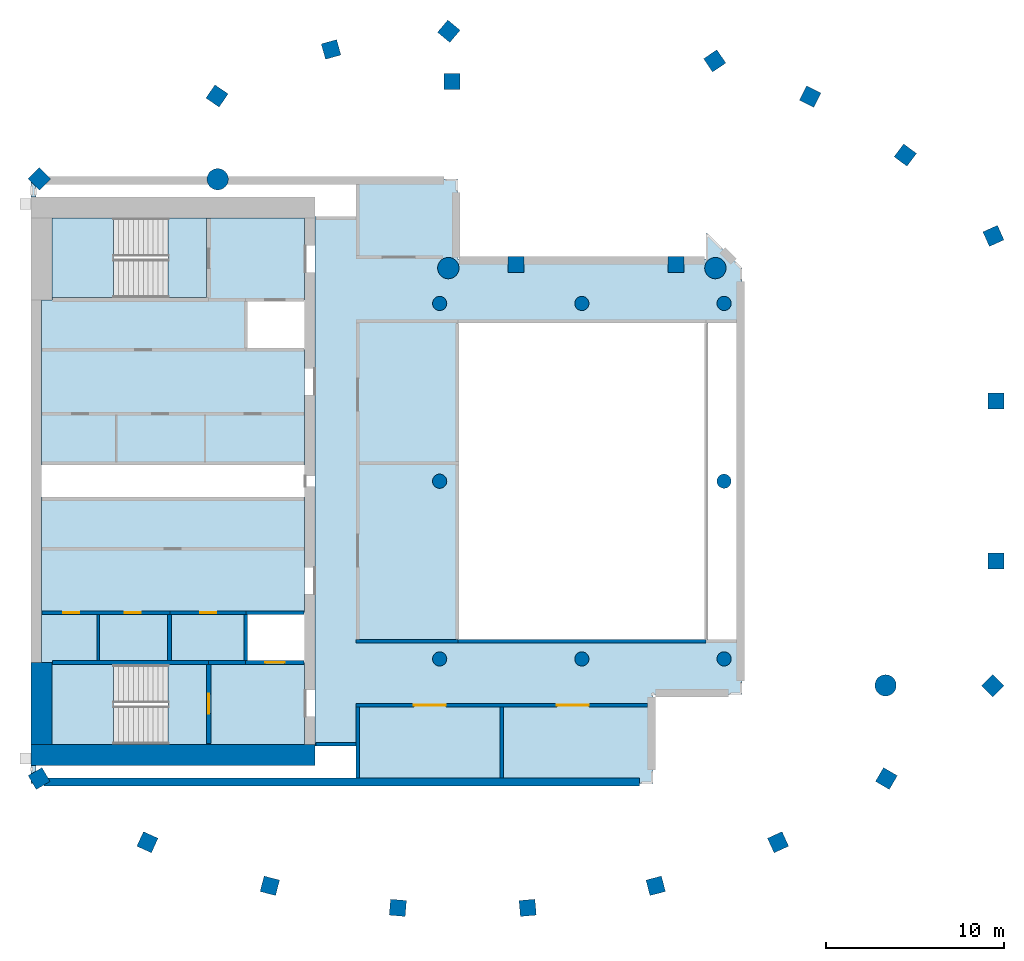
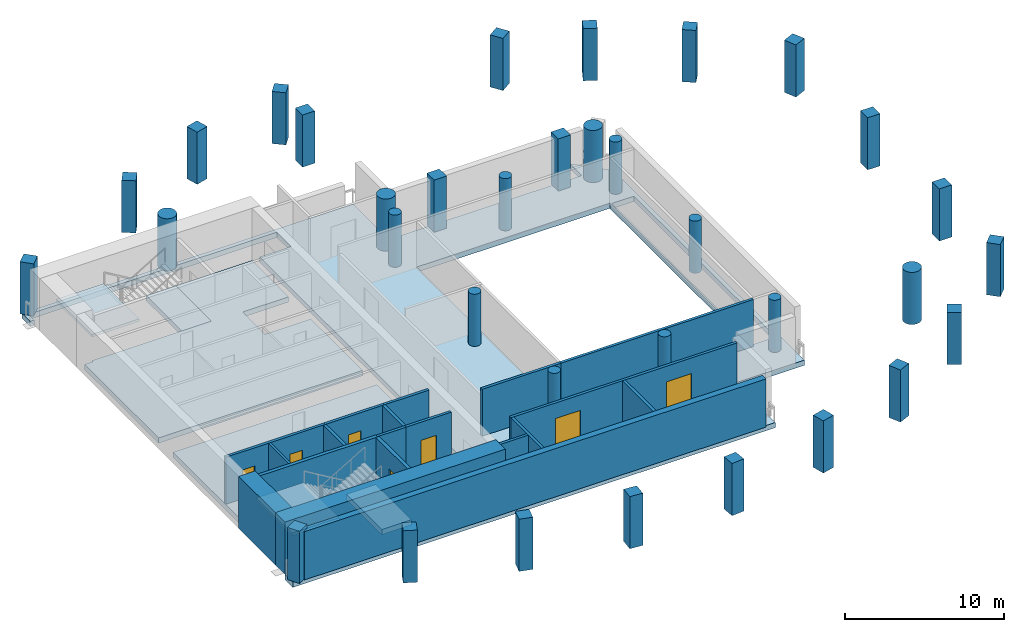
# One storey, part 1 of 8: 34 columns, 19 walls, 7 doors, 7 slabs, 7 openings, 2 elements without a shape of their own.
"""IFC4 building model written with IfcOpenShell, lengths in metres."""

import ifcopenshell
import ifcopenshell.guid

model = None  # the IFC model being written
_history = None  # IfcOwnerHistory: only IFC2X3 demands one
_inside = {}  # id of a spatial element -> (the spatial element, [elements in it])
_under = {}  # id of a project, library or spatial element -> (it, [spatial elements below it])
_declared = {}  # id of a project -> (the project, [libraries it declares])
_typed = {}  # id of a type object -> (the type object, [elements of that type])
_made_of = {}  # id of a material, layer set ... -> (it, [elements and type objects made of it])


def new_model(schema):
    """Start an empty IFC model of exactly this schema.

    Asked for "IFC4X3", IfcOpenShell would pick the latest addendum, in which some entities
    have other attributes; the version numbers below select the first issue.
    IFC2X3 requires an IfcOwnerHistory on every rooted entity: one is made here for all.
    """
    global model, _history
    if schema == "IFC4X3":
        model = ifcopenshell.file(schema_version=(4, 3, 0, 0))
    else:
        model = ifcopenshell.file(schema=schema)
    _inside.clear()
    _under.clear()
    _declared.clear()
    _typed.clear()
    _made_of.clear()
    _history = None
    if model.schema == "IFC2X3":
        org = make("IfcOrganization", Name="unknown")
        user = make(
            "IfcPersonAndOrganization",
            ThePerson=make("IfcPerson", FamilyName="unknown"),
            TheOrganization=org,
        )
        app = make(
            "IfcApplication",
            ApplicationDeveloper=org,
            Version="unknown",
            ApplicationFullName="unknown",
            ApplicationIdentifier="unknown",
        )
        _history = make(
            "IfcOwnerHistory",
            OwningUser=user,
            OwningApplication=app,
            ChangeAction="ADDED",
            CreationDate=0,
        )
    return model


def make(cls, **values):
    """One entity of the class cls with the attributes given. An attribute that is None is left unset."""
    return model.create_entity(
        cls, **{name: value for name, value in values.items() if value is not None}
    )


def rooted(cls, **values):
    """An entity with a GlobalId (a new one), such as an element, a storey or a relation."""
    return make(cls, GlobalId=ifcopenshell.guid.new(), OwnerHistory=_history, **values)


def si_unit(unit_type, name, prefix=None):
    """IfcSIUnit, for example si_unit("LENGTHUNIT", "METRE", prefix="MILLI")."""
    return make("IfcSIUnit", UnitType=unit_type, Prefix=prefix, Name=name)


def assignment(units):
    """IfcUnitAssignment: the units of a project."""
    return None if units is None else make("IfcUnitAssignment", Units=units)


def point(xyz):
    """IfcCartesianPoint."""
    return None if xyz is None else make("IfcCartesianPoint", Coordinates=xyz)


def direction(xyz):
    """IfcDirection."""
    return None if xyz is None else make("IfcDirection", DirectionRatios=xyz)


def frame(location, z_axis=None, x_axis=None):
    """IfcAxis2Placement3D, a coordinate frame: its origin and axes. An axis left out is left unset."""
    return make(
        "IfcAxis2Placement3D",
        Location=point(location),
        Axis=direction(z_axis),
        RefDirection=direction(x_axis),
    )


def frame_2d(location, x_axis=None):
    """IfcAxis2Placement2D, a coordinate frame in the plane: its origin and x axis."""
    return make(
        "IfcAxis2Placement2D", Location=point(location), RefDirection=direction(x_axis)
    )


def origin():
    """The frame at (0, 0, 0) with its axes left unset."""
    return frame((0.0, 0.0, 0.0))


def origin_2d():
    """The frame at (0, 0) in the plane with its x axis left unset."""
    return frame_2d((0.0, 0.0))


def place(relative_to, where):
    """IfcLocalPlacement: puts the frame where relative to a parent placement (None: the world)."""
    return make(
        "IfcLocalPlacement", PlacementRelTo=relative_to, RelativePlacement=where
    )


def context(
    kind, dimensions, precision=None, world=None, true_north=None, identifier=None
):
    """IfcGeometricRepresentationContext, for example the 3D "Model" context."""
    return make(
        "IfcGeometricRepresentationContext",
        ContextIdentifier=identifier,
        ContextType=kind,
        CoordinateSpaceDimension=dimensions,
        Precision=precision,
        WorldCoordinateSystem=world,
        TrueNorth=true_north,
    )


def subcontext(parent, identifier, kind, view, scale=None):
    """IfcGeometricRepresentationSubContext, for example "Body" below "Model"."""
    return make(
        "IfcGeometricRepresentationSubContext",
        ContextIdentifier=identifier,
        ContextType=kind,
        ParentContext=parent,
        TargetScale=scale,
        TargetView=view,
    )


def project(units=None, contexts=None):
    """IfcProject with its units and contexts."""
    return rooted(
        "IfcProject",
        Name="project",
        RepresentationContexts=contexts,
        UnitsInContext=assignment(units),
    )


def spatial(cls, under=None, at=None, **own):
    """A site, building, storey or space (cls), placed at a placement, below another one or the project."""
    s = rooted(cls, ObjectPlacement=at, **own)
    if under is not None:
        _under.setdefault(under.id(), (under, []))[1].append(s)
    return s


def polyline(points):
    """IfcPolyline through the points."""
    return make("IfcPolyline", Points=[point(p) for p in points])


def profile(cls, at=None, kind="AREA", **sizes):
    """A parametric profile (cls). Its sizes go by their IFC names, for example OverallWidth=200.0."""
    return make(cls, ProfileType=kind, Position=at, **sizes)


def rectangle(**sizes):
    """IfcRectangleProfileDef."""
    return profile("IfcRectangleProfileDef", **sizes)


def circle(**sizes):
    """IfcCircleProfileDef."""
    return profile("IfcCircleProfileDef", **sizes)


def outline(outer, holes=None, kind="AREA"):
    """IfcArbitraryClosedProfileDef: a profile drawn as a closed curve; with holes, ...WithVoids."""
    if holes is None:
        return make("IfcArbitraryClosedProfileDef", ProfileType=kind, OuterCurve=outer)
    return make(
        "IfcArbitraryProfileDefWithVoids",
        ProfileType=kind,
        OuterCurve=outer,
        InnerCurves=holes,
    )


def extrude(swept, where, along, depth):
    """IfcExtrudedAreaSolid: the profile swept, set in the frame where, extruded along a direction by depth."""
    return make(
        "IfcExtrudedAreaSolid",
        SweptArea=swept,
        Position=where,
        ExtrudedDirection=direction(along),
        Depth=depth,
    )


def shape(context_of_items, identifier, shape_type, items):
    """IfcShapeRepresentation: the items that make up one representation, for example the "Body"."""
    return make(
        "IfcShapeRepresentation",
        ContextOfItems=context_of_items,
        RepresentationIdentifier=identifier,
        RepresentationType=shape_type,
        Items=items,
    )


def material(Name=None, Category=None):
    """IfcMaterial."""
    return make("IfcMaterial", Name=Name, Category=Category)


def layer(
    of_material, thickness, ventilated=None, Name=None, Category=None, Priority=None
):
    """IfcMaterialLayer: one layer of a wall or slab, of a material (None: an air gap)."""
    return make(
        "IfcMaterialLayer",
        Material=of_material,
        LayerThickness=thickness,
        IsVentilated=ventilated,
        Name=Name,
        Category=Category,
        Priority=Priority,
    )


def layer_set(layers, Name=None):
    """IfcMaterialLayerSet."""
    return make("IfcMaterialLayerSet", MaterialLayers=layers, LayerSetName=Name)


def material_profile(
    of_material, cross_section, Name=None, Category=None, Priority=None
):
    """IfcMaterialProfile: a cross section and its material."""
    return make(
        "IfcMaterialProfile",
        Name=Name,
        Material=of_material,
        Profile=cross_section,
        Priority=Priority,
        Category=Category,
    )


def profile_set(profiles, Name=None, composite=None):
    """IfcMaterialProfileSet."""
    return make(
        "IfcMaterialProfileSet",
        Name=Name,
        MaterialProfiles=profiles,
        CompositeProfile=composite,
    )


def made_of(thing, what):
    """Note that an element or type object is made of a material, layer set ...; save() writes the relation."""
    if what is not None:
        _made_of.setdefault(what.id(), (what, []))[1].append(thing)
    return thing


def type_object(cls, material=None, **own):
    """A type object (cls), such as IfcWallType, which elements share."""
    return made_of(rooted(cls, **own), material)


def element(
    cls,
    number,
    at=None,
    inside=None,
    cuts=None,
    type_object=None,
    material=None,
    context=None,
    identifier="Body",
    shape_type=None,
    held_by="IfcProductDefinitionShape",
    body=None,
    shapes=None,
    **own,
):
    """One element of the class cls, such as IfcWall. Its Tag is "e" and its number.

    at: its placement. inside: the storey or other place that contains it. cuts: it is an
    opening in that element (IfcRelVoidsElement). A single representation is given by context,
    identifier, shape_type and body (its items); several are given by shapes. held_by: the class
    of the entity that holds the representations. save() writes the other relations.
    """
    e = rooted(cls, Tag="e%d" % number, ObjectPlacement=at, **own)
    if body is not None:
        shapes = [shape(context, identifier, shape_type, body)]
    if shapes is not None:
        e.Representation = make(held_by, Representations=shapes)
    if inside is not None:
        _inside.setdefault(inside.id(), (inside, []))[1].append(e)
    if cuts is not None:
        rooted(
            "IfcRelVoidsElement", RelatingBuildingElement=cuts, RelatedOpeningElement=e
        )
    if type_object is not None:
        _typed.setdefault(type_object.id(), (type_object, []))[1].append(e)
    return made_of(e, material)


def fill(opening, filler):
    """IfcRelFillsElement: the door or window that sits in an opening."""
    return rooted(
        "IfcRelFillsElement",
        RelatingOpeningElement=opening,
        RelatedBuildingElement=filler,
    )


def aggregate(whole, parts):
    """IfcRelAggregates: a whole, such as a stair, and the parts it consists of."""
    return rooted("IfcRelAggregates", RelatingObject=whole, RelatedObjects=parts)


def save(model, path):
    """Write the relations noted so far, then the file.

    IfcRelAggregates (storeys below a building ...), IfcRelContainedInSpatialStructure (elements
    in a storey), IfcRelDefinesByType, IfcRelAssociatesMaterial and IfcRelDeclares: one each for
    every whole, place, type object, material and project.
    """
    for whole, parts in _under.values():
        aggregate(whole, parts)
    for where, things in _inside.values():
        rooted(
            "IfcRelContainedInSpatialStructure",
            RelatedElements=things,
            RelatingStructure=where,
        )
    for kind, things in _typed.values():
        rooted("IfcRelDefinesByType", RelatedObjects=things, RelatingType=kind)
    for what, things in _made_of.values():
        rooted("IfcRelAssociatesMaterial", RelatedObjects=things, RelatingMaterial=what)
    for by, libraries in _declared.values():
        rooted("IfcRelDeclares", RelatingContext=by, RelatedDefinitions=libraries)
    model.write(path)


model = new_model("IFC4")

# Units and contexts
model_context = context("Model", 3, precision=1e-05, world=origin(), true_north=direction((0.0, 1.0)))
body_context = subcontext(model_context, "Body", "Model", "MODEL_VIEW")
ifc_project = project(units=[si_unit("LENGTHUNIT", "METRE"), si_unit("AREAUNIT", "SQUARE_METRE"), si_unit("VOLUMEUNIT", "CUBIC_METRE"), si_unit("PLANEANGLEUNIT", "RADIAN"), si_unit("MASSUNIT", "GRAM", prefix="KILO")], contexts=[model_context])

# Site, building, storey
site_placement = place(None, origin())
site = spatial("IfcSite", under=ifc_project, at=site_placement, CompositionType="ELEMENT")
building_placement = place(site_placement, origin())
building = spatial("IfcBuilding", under=site, at=building_placement, Name="Cypress Arch Tower", CompositionType="ELEMENT")
storey_placement = place(building_placement, frame((0.0, 0.0, 339.0)))
storey = spatial("IfcBuildingStorey", under=building, at=storey_placement, Name="L77", CompositionType="ELEMENT", Elevation=339.0)

# Columns
ifc_material_1 = material(Name="Concrete C60/75", Category="concrete")
ifc_material_profile_1 = material_profile(ifc_material_1, rectangle(XDim=0.89990234375, YDim=0.89990234375, at=origin_2d()), Name="RC 900x900")
ifc_profile_set_1 = profile_set([ifc_material_profile_1], Name="Concrete C60/75")
column_type_1 = type_object("IfcColumnType", Name="Column RC 900x900 Concrete C60/75", PredefinedType="COLUMN", material=ifc_profile_set_1)
for number, where, z_axis, x_axis, name in (
    (1, (8.474853515625, 23.6474609375, 0.0), (0.0, 0.0, 1.0), (-0.828469606019, -0.560034027451, 0.0), "Column L77 CC00"),
    (2, (6.300048828125, 12.199951171875, 0.0), (0.0, 0.0, 1.0), (-1.0, 0.0, 0.0), "Column L77 CC02"),
    (3, (-2.699951171875, 12.199951171875, 0.0), (0.0, 0.0, 1.0), (-1.0, 0.0, 0.0), "Column L77 CC03"),
    (4, (-6.300048828125, 22.5, 0.0), (0.0, 0.0, 1.0), (0.0, 1.0, 0.0), "Column L77 CC05"),
    (5, (-6.48388671875, 25.313232421875, 0.0), (0.0, 0.0, 1.0), (-0.766063514674, 0.642764880407, 0.0), "Column L77 CC06"),
    (6, (-13.108154296875, 24.28955078125, 0.0), (0.0, 0.0, 1.0), (-0.96345574646, -0.267867550506, 0.0), "Column L77 CC07"),
    (7, (-19.5244140625, 21.673583984375, 0.0), (0.0, 0.0, 1.0), (-0.565892599589, -0.824478966215, 0.0), "Column L77 CC08"),
    (8, (-29.513671875, 17.013671875, 0.0), (0.0, 0.0, 1.0), (-0.707106781187, -0.707106781187, 0.0), "Column L77 CC10"),
    (9, (-29.534423828125, -16.72802734375, 0.0), (0.0, 0.0, 1.0), (0.504399289829, -0.86347053014, 0.0), "Column L77 CC11"),
    (10, (-23.439697265625, -20.312255859375, 0.0), (0.0, 0.0, 1.0), (0.909932071487, -0.414757308891, 0.0), "Column L77 CC12"),
    (11, (-16.55419921875, -22.762939453125, 0.0), (0.0, 0.0, 1.0), (0.96735573689, -0.2534223319, 0.0), "Column L77 CC13"),
    (12, (-9.351318359375, -24.00341796875, 0.0), (0.0, 0.0, 1.0), (0.996368206733, -0.085149260784, 0.0), "Column L77 CC14"),
    (13, (-2.048828125, -24.00341796875, 0.0), (0.0, 0.0, 1.0), (0.996368206733, 0.085149260784, 0.0), "Column L77 CC15"),
    (14, (5.154296875, -22.762939453125, 0.0), (0.0, 0.0, 1.0), (0.96735573689, 0.2534223319, 0.0), "Column L77 CC16"),
    (15, (12.039794921875, -20.312255859375, 0.0), (0.0, 0.0, 1.0), (0.909932071487, 0.414757308891, 0.0), "Column L77 CC17"),
    (16, (18.134521484375, -16.72802734375, 0.0), (0.0, 0.0, 1.0), (0.504399289829, 0.86347053014, 0.0), "Column L77 CC18"),
    (17, (24.113525390625, -11.513671875, 0.0), (0.0, 0.0, 1.0), (0.707106781187, 0.707106781187, 0.0), "Column L77 CC20"),
    (18, (24.300048828125, -4.5, 0.0), (0.0, 0.0, 1.0), (0.0, 1.0, 0.0), "Column L77 CC21"),
    (19, (24.300048828125, 4.5, 0.0), (0.0, 0.0, 1.0), (0.0, 1.0, 0.0), "Column L77 CC22"),
    (20, (24.155029296875, 13.800048828125, 0.0), (0.0, 0.0, 1.0), (-0.409765058504, 0.912191096662, 0.0), "Column L77 CC23"),
    (21, (19.197998046875, 18.347900390625, 0.0), (0.0, 0.0, 1.0), (-0.802798546114, 0.596250362144, 0.0), "Column L77 CC24"),
    (22, (13.84814453125, 21.638427734375, 0.0), (0.0, 0.0, 1.0), (-0.893106499805, 0.44984528452, 0.0), "Column L77 CC25"),
):
    element("IfcColumn", number, at=place(storey_placement, frame(where, z_axis=z_axis, x_axis=x_axis)), inside=storey, type_object=column_type_1, Name=name, PredefinedType="COLUMN", context=body_context, shape_type="SweptSolid", body=[
        extrude(rectangle(XDim=0.89990234375, YDim=0.89990234375, at=origin_2d()), origin(), (0.0, 0.0, 1.0), 4.0),
    ])
ifc_material_2 = material(Name="Concrete C60/75", Category="concrete")
ifc_material_profile_2 = material_profile(ifc_material_2, circle(Radius=0.39990234375, at=origin_2d()), Name="RC D800")
ifc_profile_set_2 = profile_set([ifc_material_profile_2], Name="Concrete C60/75")
column_type_2 = type_object("IfcColumnType", Name="Column RC D800 Concrete C60/75", PredefinedType="COLUMN", material=ifc_profile_set_2)
for number, where, z_axis, x_axis, name in (
    (23, (-7.0, -10.0, 0.0), (0.0, 0.0, 1.0), (1.0, 0.0, 0.0), "Column L77 RNG-L77-G-7-10"),
    (24, (-7.0, 0.0, 0.0), (0.0, 0.0, 1.0), (1.0, 0.0, 0.0), "Column L77 RNG-L77-G-7+0"),
    (25, (-7.0, 10.0, 0.0), (0.0, 0.0, 1.0), (1.0, 0.0, 0.0), "Column L77 RNG-L77-G-7+10"),
    (26, (1.0, -10.0, 0.0), (0.0, 0.0, 1.0), (1.0, 0.0, 0.0), "Column L77 RNG-L77-G+1-10"),
    (27, (1.0, 10.0, 0.0), (0.0, 0.0, 1.0), (1.0, 0.0, 0.0), "Column L77 RNG-L77-G+1+10"),
    (28, (9.0, -10.0, 0.0), (0.0, 0.0, 1.0), (1.0, 0.0, 0.0), "Column L77 RNG-L77-G+9-10"),
    (29, (9.0, 0.0, 0.0), (0.0, 0.0, 1.0), (1.0, 0.0, 0.0), "Column L77 RNG-L77-G+9+0"),
    (30, (9.0, 10.0, 0.0), (0.0, 0.0, 1.0), (1.0, 0.0, 0.0), "Column L77 RNG-L77-G+9+10"),
):
    element("IfcColumn", number, at=place(storey_placement, frame(where, z_axis=z_axis, x_axis=x_axis)), inside=storey, type_object=column_type_2, Name=name, PredefinedType="COLUMN", context=body_context, shape_type="SweptSolid", body=[
        extrude(circle(Radius=0.39990234375, at=origin_2d()), origin(), (0.0, 0.0, 1.0), 4.0),
    ])
ifc_material_3 = material(Name="Concrete C60/75", Category="concrete")
ifc_material_profile_3 = material_profile(ifc_material_3, circle(Radius=0.60009765625, at=origin_2d()), Name="RC D1200")
ifc_profile_set_3 = profile_set([ifc_material_profile_3], Name="Concrete C60/75")
column_type_3 = type_object("IfcColumnType", Name="Mega-column RC D1200 Concrete C60/75", PredefinedType="COLUMN", material=ifc_profile_set_3)
for number, where, z_axis, x_axis, name in (
    (31, (8.51220703125, 11.98779296875, 0.0), (0.0, 0.0, 1.0), (1.0, 0.0, 0.0), "Column L77 CC01"),
    (32, (-6.51220703125, 11.98779296875, 0.0), (0.0, 0.0, 1.0), (1.0, 0.0, 0.0), "Column L77 CC04"),
    (33, (-19.48779296875, 16.98779296875, 0.0), (0.0, 0.0, 1.0), (1.0, 0.0, 0.0), "Column L77 CC09"),
    (34, (18.087890625, -11.48779296875, 0.0), (0.0, 0.0, 1.0), (1.0, 0.0, 0.0), "Column L77 CC19"),
):
    element("IfcColumn", number, at=place(storey_placement, frame(where, z_axis=z_axis, x_axis=x_axis)), inside=storey, type_object=column_type_3, Name=name, PredefinedType="COLUMN", context=body_context, shape_type="SweptSolid", body=[
        extrude(circle(Radius=0.60009765625, at=origin_2d()), origin(), (0.0, 0.0, 1.0), 4.0),
    ])

# Slabs
ifc_material_4 = material(Name="Concrete C40/50", Category="concrete")
ifc_layer_1 = layer(ifc_material_4, 0.402099609375)
ifc_layer_set_1 = layer_set([ifc_layer_1], Name="Core floor CF402")
slab_type_1 = type_object("IfcSlabType", Name="Core floor CF402", PredefinedType="FLOOR", material=ifc_layer_set_1)
slab_1_placement = place(storey_placement, frame((0.0, 0.0, -0.402099609375)))
element("IfcSlab", 35, at=slab_1_placement, inside=storey, type_object=slab_type_1, Name="Core floor", PredefinedType="FLOOR", context=body_context, shape_type="SweptSolid", body=[
    extrude(outline(polyline([(-28.800048828125, -10.199951171875), (-29.0, -10.199951171875), (-29.39990234375, -10.199951171875), (-29.39990234375, -0.89990234375), (-29.0, -0.89990234375), (-15.0, -0.89990234375), (-14.60009765625, -0.89990234375), (-14.60009765625, -7.39990234375), (-15.0, -7.39990234375), (-17.919921875, -7.39990234375), (-17.919921875, -10.199951171875), (-15.0, -10.199951171875), (-14.60009765625, -10.199951171875), (-14.60009765625, -14.800048828125), (-15.0, -14.800048828125), (-20.125, -14.800048828125), (-20.125, -10.324951171875), (-22.27490234375, -10.324951171875), (-28.800048828125, -10.324951171875), (-28.800048828125, -10.199951171875)])), origin(), (0.0, 0.0, 1.0), 0.402099609375),
])
slab_2_placement = place(storey_placement, frame((0.0, 0.0, -0.402099609375)))
element("IfcSlab", 36, at=slab_2_placement, inside=storey, type_object=slab_type_1, Name="Core floor", PredefinedType="FLOOR", context=body_context, shape_type="SweptSolid", body=[
    extrude(outline(polyline([(-22.27490234375, -10.324951171875), (-22.27490234375, -14.800048828125), (-20.125, -14.800048828125), (-20.125, -10.324951171875), (-22.27490234375, -10.324951171875)])), origin(), (0.0, 0.0, 1.0), 0.402099609375),
])
slab_3_placement = place(storey_placement, frame((0.0, 0.0, -0.402099609375)))
element("IfcSlab", 37, at=slab_3_placement, inside=storey, type_object=slab_type_1, Name="Core floor", PredefinedType="FLOOR", context=body_context, shape_type="SweptSolid", body=[
    extrude(outline(polyline([(-20.125, 14.800048828125), (-22.27490234375, 14.800048828125), (-22.27490234375, 10.324951171875), (-20.125, 10.324951171875), (-20.125, 14.800048828125)])), origin(), (0.0, 0.0, 1.0), 0.402099609375),
])
slab_4_placement = place(storey_placement, frame((0.0, 0.0, -0.402099609375)))
element("IfcSlab", 38, at=slab_4_placement, inside=storey, type_object=slab_type_1, Name="Core floor", PredefinedType="FLOOR", context=body_context, shape_type="SweptSolid", body=[
    extrude(outline(polyline([(-22.27490234375, 10.324951171875), (-20.125, 10.324951171875), (-20.125, 14.800048828125), (-15.0, 14.800048828125), (-14.60009765625, 14.800048828125), (-14.60009765625, 10.199951171875), (-15.0, 10.199951171875), (-17.919921875, 10.199951171875), (-17.919921875, 7.39990234375), (-15.0, 7.39990234375), (-14.60009765625, 7.39990234375), (-14.60009765625, 1.5), (-14.60009765625, 0.89990234375), (-15.0, 0.89990234375), (-29.0, 0.89990234375), (-29.39990234375, 0.89990234375), (-29.39990234375, 1.5), (-29.39990234375, 10.199951171875), (-29.0, 10.199951171875), (-28.800048828125, 10.199951171875), (-28.800048828125, 10.324951171875), (-22.27490234375, 10.324951171875)])), origin(), (0.0, 0.0, 1.0), 0.402099609375),
])
ifc_material_5 = material(Name="Concrete C40/50", Category="concrete")
ifc_layer_2 = layer(ifc_material_5, 0.39990234375)
ifc_layer_set_2 = layer_set([ifc_layer_2], Name="Crown flat slab 400 Concrete C40/50")
slab_type_2 = type_object("IfcSlabType", Name="Crown flat slab 400 Concrete C40/50", PredefinedType="FLOOR", material=ifc_layer_set_2)
slab_5_placement = place(storey_placement, frame((0.0, 0.0, -0.39990234375)))
element("IfcSlab", 39, at=slab_5_placement, inside=storey, type_object=slab_type_2, Name="Floor slab L77", PredefinedType="FLOOR", context=body_context, shape_type="SweptSolid", body=[
    extrude(outline(polyline([(8.0, 12.5), (8.0, 14.0), (10.0, 12.0), (10.0, -12.0), (5.0, -12.0), (5.0, -17.0), (-30.0, -17.0), (-30.0, -16.39990234375), (-30.0, -16.0), (-29.699951171875, -16.0), (-29.699951171875, -16.39990234375), (-29.699951171875, -16.699951171875), (-11.699951171875, -16.699951171875), (-11.699951171875, -14.89990234375), (-13.60009765625, -14.89990234375), (-14.0, -14.89990234375), (-14.0, -14.39990234375), (-14.0, 14.39990234375), (-14.0, 14.89990234375), (-13.60009765625, 14.89990234375), (-11.699951171875, 14.89990234375), (-11.699951171875, 16.699951171875), (-29.699951171875, 16.699951171875), (-29.699951171875, 16.39990234375), (-29.699951171875, 16.0), (-30.0, 16.0), (-30.0, 16.39990234375), (-30.0, 17.0), (-6.0, 17.0), (-6.0, 12.5), (8.0, 12.5)]), holes=[polyline([(8.10009765625, -8.89990234375), (9.699951171875, -8.89990234375), (9.699951171875, 8.89990234375), (8.10009765625, 8.89990234375), (8.10009765625, -8.89990234375)]), polyline([(-6.0, 9.0), (-6.0, -9.0), (8.0, -9.0), (8.0, 9.0), (-6.0, 9.0)])]), origin(), (0.0, 0.0, 1.0), 0.39990234375),
])

# Stair, slab
ifc_material_6 = material(Name="Concrete C40/50", Category="concrete")
stair_type = type_object("IfcStairType", Name="Exit stair ES1667-215", PredefinedType="HALF_TURN_STAIR", material=ifc_material_6)
stair_1_placement = place(storey_placement, origin())
stair_1 = element("IfcStair", 40, at=stair_1_placement, inside=storey, type_object=stair_type, Name="L77 Exit stair A", PredefinedType="HALF_TURN_STAIR")
ifc_material_7 = material(Name="Concrete C40/50", Category="concrete")
ifc_layer_3 = layer(ifc_material_7, 0.199951171875)
ifc_layer_set_3 = layer_set([ifc_layer_3], Name="Stair landing SL200")
slab_type_3 = type_object("IfcSlabType", Name="Stair landing SL200", PredefinedType="LANDING", material=ifc_layer_set_3)
slab_6_placement = place(storey_placement, frame((0.0, 0.0, 1.800048828125)))
slab_6 = element("IfcSlab", 41, at=slab_6_placement, type_object=slab_type_3, Name="A landing 1", PredefinedType="LANDING", context=body_context, shape_type="SweptSolid", body=[
    extrude(outline(polyline([(-25.35498046875, -10.324951171875), (-28.800048828125, -10.324951171875), (-28.800048828125, -14.800048828125), (-25.35498046875, -14.800048828125), (-25.35498046875, -10.324951171875)])), origin(), (0.0, 0.0, 1.0), 0.199951171875),
])
aggregate(stair_1, [slab_6])

stair_2_placement = place(storey_placement, origin())
stair_2 = element("IfcStair", 42, at=stair_2_placement, inside=storey, type_object=stair_type, Name="L77 Exit stair B", PredefinedType="HALF_TURN_STAIR")
slab_7_placement = place(storey_placement, frame((0.0, 0.0, 1.800048828125)))
slab_7 = element("IfcSlab", 43, at=slab_7_placement, type_object=slab_type_3, Name="B landing 1", PredefinedType="LANDING", context=body_context, shape_type="SweptSolid", body=[
    extrude(outline(polyline([(-25.35498046875, 14.800048828125), (-28.800048828125, 14.800048828125), (-28.800048828125, 10.324951171875), (-25.35498046875, 10.324951171875), (-25.35498046875, 14.800048828125)])), origin(), (0.0, 0.0, 1.0), 0.199951171875),
])
aggregate(stair_2, [slab_7])

# Walls
ifc_material_8 = material(Name="Brick (red buff blend)", Category="masonry")
ifc_layer_4 = layer(ifc_material_8, 0.449951171875)
ifc_layer_set_4 = layer_set([ifc_layer_4], Name="Brick belt wall BW450-B")
wall_type_1 = type_object("IfcWallType", Name="Brick belt wall BW450-B", PredefinedType="SOLIDWALL", material=ifc_layer_set_4)
wall_1_placement = place(storey_placement, frame((-29.25, -16.925048828125, 0.0), z_axis=(0.0, 0.0, 1.0), x_axis=(1.0, 0.0, 0.0)))
element("IfcWall", 44, at=wall_1_placement, inside=storey, type_object=wall_type_1, Name="Brick wall L77 Kh00.0", PredefinedType="SOLIDWALL", context=body_context, shape_type="SweptSolid", body=[
    extrude(rectangle(XDim=33.5, YDim=0.449951171875, at=frame_2d((16.75, 0.0))), origin(), (0.0, 0.0, 1.0), 3.699951171875),
])
ifc_material_9 = material(Name="Concrete C50/60", Category="concrete")
ifc_layer_5 = layer(ifc_material_9, 1.199951171875)
ifc_layer_set_5 = layer_set([ifc_layer_5], Name="Core wall CW1200 C50/60")
wall_type_2 = type_object("IfcWallType", Name="Core wall CW1200 C50/60", PredefinedType="SHEAR", material=ifc_layer_set_5)
wall_2_placement = place(storey_placement, frame((-30.0, -15.39990234375, 0.0), z_axis=(0.0, 0.0, 1.0), x_axis=(1.0, 0.0, 0.0)))
element("IfcWall", 45, at=wall_2_placement, inside=storey, type_object=wall_type_2, Name="Core wall", PredefinedType="SHEAR", context=body_context, shape_type="SweptSolid", body=[
    extrude(rectangle(XDim=16.0, YDim=1.199951171875, at=frame_2d((8.0, 0.0))), origin(), (0.0, 0.0, 1.0), 4.0),
])
wall_3_placement = place(storey_placement, frame((-29.39990234375, -14.800048828125, 0.0), z_axis=(0.0, 0.0, 1.0), x_axis=(0.0, 1.0, 0.0)))
element("IfcWall", 46, at=wall_3_placement, inside=storey, type_object=wall_type_2, Name="Core wall", PredefinedType="SHEAR", context=body_context, shape_type="SweptSolid", body=[
    extrude(rectangle(XDim=4.60009765625, YDim=1.199951171875, at=frame_2d((2.300048828125, 0.0))), origin(), (0.0, 0.0, 1.0), 4.0),
])

# Wall, openings, doors
ifc_material_10 = material(Name="Concrete blockwork, plastered, rated", Category="masonry")
ifc_layer_6 = layer(ifc_material_10, 0.199951171875)
ifc_layer_set_6 = layer_set([ifc_layer_6], Name="Corridor wall FW200")
wall_type_3 = type_object("IfcWallType", Name="Corridor wall FW200", PredefinedType="PARTITIONING", material=ifc_layer_set_6)
wall_4_placement = place(storey_placement, frame((-29.3701171875, -7.39990234375, 0.0), z_axis=(0.0, 0.0, 1.0), x_axis=(1.0, 0.0, 0.0)))
wall_4 = element("IfcWall", 47, at=wall_4_placement, inside=storey, type_object=wall_type_3, Name="Corridor wall", PredefinedType="PARTITIONING", context=body_context, shape_type="SweptSolid", body=[
    extrude(rectangle(XDim=7.190185546875, YDim=0.199951171875, at=frame_2d((3.59521484375, 0.0))), origin(), (0.0, 0.0, 1.0), 3.597900390625),
])
opening_1_placement = place(wall_4_placement, frame((1.199951171875, 0.0, 0.0)))
opening_1 = element("IfcOpeningElement", 48, at=opening_1_placement, cuts=wall_4, Name="Opening D05", PredefinedType="OPENING", context=body_context, shape_type="SweptSolid", body=[
    extrude(rectangle(XDim=0.89990234375, YDim=2.199951171875, at=frame_2d((0.449951171875, 1.10009765625))), frame((0.0, 0.10986328125, 0.0), z_axis=(0.0, -1.0, 0.0), x_axis=(1.0, 0.0, 0.0)), (0.0, 0.0, 1.0), 0.219970703125),
])
opening_2_placement = place(wall_4_placement, frame((4.64990234375, 0.0, 0.0)))
opening_2 = element("IfcOpeningElement", 49, at=opening_2_placement, cuts=wall_4, Name="Opening D05", PredefinedType="OPENING", context=body_context, shape_type="SweptSolid", body=[
    extrude(rectangle(XDim=0.89990234375, YDim=2.199951171875, at=frame_2d((0.449951171875, 1.10009765625))), frame((0.0, 0.10986328125, 0.0), z_axis=(0.0, -1.0, 0.0), x_axis=(1.0, 0.0, 0.0)), (0.0, 0.0, 1.0), 0.219970703125),
])
ifc_material_11 = material(Name="Timber flush door", Category="wood")
door_type_1 = type_object("IfcDoorType", Name="Service door D05 900x2200", OperationType="SINGLE_SWING_LEFT", PredefinedType="DOOR", material=ifc_material_11)
door_1_placement = place(opening_1_placement, origin())
door_1 = element("IfcDoor", 50, at=door_1_placement, inside=storey, type_object=door_type_1, Name="Service door", OperationType="SINGLE_SWING_LEFT", OverallHeight=2.199951171875, OverallWidth=0.89990234375, PredefinedType="DOOR", context=body_context, shape_type="SweptSolid", body=[
    extrude(rectangle(XDim=0.89990234375, YDim=2.199951171875, at=frame_2d((0.449951171875, 1.10009765625))), frame((0.0, 0.02490234375, 0.0), z_axis=(0.0, -1.0, 0.0), x_axis=(1.0, 0.0, 0.0)), (0.0, 0.0, 1.0), 0.050048828125),
])
fill(opening_1, door_1)
door_2_placement = place(opening_2_placement, origin())
door_2 = element("IfcDoor", 51, at=door_2_placement, inside=storey, type_object=door_type_1, Name="Service door", OperationType="SINGLE_SWING_RIGHT", OverallHeight=2.199951171875, OverallWidth=0.89990234375, PredefinedType="DOOR", context=body_context, shape_type="SweptSolid", body=[
    extrude(rectangle(XDim=0.89990234375, YDim=2.199951171875, at=frame_2d((0.449951171875, 1.10009765625))), frame((0.0, 0.02490234375, 0.0), z_axis=(0.0, -1.0, 0.0), x_axis=(1.0, 0.0, 0.0)), (0.0, 0.0, 1.0), 0.050048828125),
])
fill(opening_2, door_2)

# Walls
wall_5_placement = place(storey_placement, frame((-5.97998046875, -9.0, 0.0), z_axis=(0.0, 0.0, 1.0), x_axis=(1.0, 0.0, 0.0)))
element("IfcWall", 52, at=wall_5_placement, inside=storey, type_object=wall_type_3, Name="Corridor wall", PredefinedType="PARTITIONING", context=body_context, shape_type="SweptSolid", body=[
    extrude(rectangle(XDim=13.9599609375, YDim=0.199951171875, at=frame_2d((6.97998046875, 0.0))), origin(), (0.0, 0.0, 1.0), 3.597900390625),
])
ifc_material_12 = material(Name="Blockwork, plastered both sides", Category="masonry")
ifc_layer_7 = layer(ifc_material_12, 0.14990234375)
ifc_layer_set_7 = layer_set([ifc_layer_7], Name="Partition PW150")
wall_type_4 = type_object("IfcWallType", Name="Partition PW150", PredefinedType="PARTITIONING", material=ifc_layer_set_7)
wall_6_placement = place(storey_placement, frame((-26.199951171875, -10.074951171875, 0.0), z_axis=(0.0, 0.0, 1.0), x_axis=(0.0, 1.0, 0.0)))
element("IfcWall", 53, at=wall_6_placement, inside=storey, type_object=wall_type_4, Name="Partition", PredefinedType="PARTITIONING", context=body_context, shape_type="SweptSolid", body=[
    extrude(rectangle(XDim=2.574951171875, YDim=0.14990234375, at=frame_2d((1.28759765625, 0.0))), origin(), (0.0, 0.0, 1.0), 3.597900390625),
])

# Wall, opening, door
ifc_material_13 = material(Name="Reinforced blockwork, plastered, rated", Category="masonry")
ifc_layer_8 = layer(ifc_material_13, 0.199951171875)
ifc_layer_set_8 = layer_set([ifc_layer_8], Name="Plant and riser wall PL200")
wall_type_5 = type_object("IfcWallType", Name="Plant and riser wall PL200", PredefinedType="PARTITIONING", material=ifc_layer_set_8)
wall_7_placement = place(storey_placement, frame((-22.179931640625, -7.39990234375, 0.0), z_axis=(0.0, 0.0, 1.0), x_axis=(1.0, 0.0, 0.0)))
wall_7 = element("IfcWall", 54, at=wall_7_placement, inside=storey, type_object=wall_type_5, Name="Plant and riser wall", PredefinedType="PARTITIONING", context=body_context, shape_type="SweptSolid", body=[
    extrude(rectangle(XDim=4.280029296875, YDim=0.199951171875, at=frame_2d((2.14013671875, 0.0))), origin(), (0.0, 0.0, 1.0), 3.597900390625),
])
opening_3_placement = place(wall_7_placement, frame((1.699951171875, 0.0, 0.0)))
opening_3 = element("IfcOpeningElement", 55, at=opening_3_placement, cuts=wall_7, Name="Opening D05", PredefinedType="OPENING", context=body_context, shape_type="SweptSolid", body=[
    extrude(rectangle(XDim=0.89990234375, YDim=2.199951171875, at=frame_2d((0.449951171875, 1.10009765625))), frame((0.0, 0.10986328125, 0.0), z_axis=(0.0, -1.0, 0.0), x_axis=(1.0, 0.0, 0.0)), (0.0, 0.0, 1.0), 0.219970703125),
])
door_3_placement = place(opening_3_placement, origin())
door_3 = element("IfcDoor", 56, at=door_3_placement, inside=storey, type_object=door_type_1, Name="Service door", OperationType="SINGLE_SWING_LEFT", OverallHeight=2.199951171875, OverallWidth=0.89990234375, PredefinedType="DOOR", context=body_context, shape_type="SweptSolid", body=[
    extrude(rectangle(XDim=0.89990234375, YDim=2.199951171875, at=frame_2d((0.449951171875, 1.10009765625))), frame((0.0, 0.02490234375, 0.0), z_axis=(0.0, -1.0, 0.0), x_axis=(1.0, 0.0, 0.0)), (0.0, 0.0, 1.0), 0.050048828125),
])
fill(opening_3, door_3)

# Walls
wall_8_placement = place(storey_placement, frame((-22.199951171875, -10.074951171875, 0.0), z_axis=(0.0, 0.0, 1.0), x_axis=(0.0, 1.0, 0.0)))
element("IfcWall", 57, at=wall_8_placement, inside=storey, type_object=wall_type_5, Name="Plant and riser wall", PredefinedType="PARTITIONING", context=body_context, shape_type="SweptSolid", body=[
    extrude(rectangle(XDim=2.574951171875, YDim=0.199951171875, at=frame_2d((1.28759765625, 0.0))), origin(), (0.0, 0.0, 1.0), 3.597900390625),
])
wall_9_placement = place(storey_placement, frame((-20.0, -10.199951171875, 0.0), z_axis=(0.0, 0.0, 1.0), x_axis=(1.0, 0.0, 0.0)))
element("IfcWall", 58, at=wall_9_placement, inside=storey, type_object=wall_type_5, Name="Plant and riser wall", PredefinedType="PARTITIONING", context=body_context, shape_type="SweptSolid", body=[
    extrude(rectangle(XDim=2.080078125, YDim=0.199951171875, at=frame_2d((1.0400390625, 0.0))), origin(), (0.0, 0.0, 1.0), 3.597900390625),
])
wall_10_placement = place(storey_placement, frame((-13.969970703125, -14.800048828125, 0.0), z_axis=(0.0, 0.0, 1.0), x_axis=(1.0, 0.0, 0.0)))
element("IfcWall", 59, at=wall_10_placement, inside=storey, type_object=wall_type_5, Name="Plant and riser wall", PredefinedType="PARTITIONING", context=body_context, shape_type="SweptSolid", body=[
    extrude(rectangle(XDim=2.27001953125, YDim=0.199951171875, at=frame_2d((1.135009765625, 0.0))), origin(), (0.0, 0.0, 1.0), 3.597900390625),
])
wall_11_placement = place(storey_placement, frame((-11.60009765625, -16.699951171875, 0.0), z_axis=(0.0, 0.0, 1.0), x_axis=(0.0, 1.0, 0.0)))
element("IfcWall", 60, at=wall_11_placement, inside=storey, type_object=wall_type_5, Name="Plant and riser wall", PredefinedType="PARTITIONING", context=body_context, shape_type="SweptSolid", body=[
    extrude(rectangle(XDim=3.9990234375, YDim=0.199951171875, at=frame_2d((1.99951171875, 0.0))), origin(), (0.0, 0.0, 1.0), 3.597900390625),
])

# Wall, openings, doors
wall_12_placement = place(storey_placement, frame((-11.698974609375, -12.60009765625, 0.0), z_axis=(0.0, 0.0, 1.0), x_axis=(1.0, 0.0, 0.0)))
wall_12 = element("IfcWall", 61, at=wall_12_placement, inside=storey, type_object=wall_type_5, Name="Plant and riser wall", PredefinedType="PARTITIONING", context=body_context, shape_type="SweptSolid", body=[
    extrude(rectangle(XDim=16.39892578125, YDim=0.199951171875, at=frame_2d((8.199462890625, 0.0))), origin(), (0.0, 0.0, 1.0), 3.597900390625),
])
opening_4_placement = place(wall_12_placement, frame((3.25, 0.0, 0.0)))
opening_4 = element("IfcOpeningElement", 62, at=opening_4_placement, cuts=wall_12, Name="Opening D09", PredefinedType="OPENING", context=body_context, shape_type="SweptSolid", body=[
    extrude(rectangle(XDim=1.800048828125, YDim=2.39990234375, at=frame_2d((0.89990234375, 1.199951171875))), frame((0.0, 0.10986328125, 0.0), z_axis=(0.0, -1.0, 0.0), x_axis=(1.0, 0.0, 0.0)), (0.0, 0.0, 1.0), 0.219970703125),
])
opening_5_placement = place(wall_12_placement, frame((11.300048828125, 0.0, 0.0)))
opening_5 = element("IfcOpeningElement", 63, at=opening_5_placement, cuts=wall_12, Name="Opening D09", PredefinedType="OPENING", context=body_context, shape_type="SweptSolid", body=[
    extrude(rectangle(XDim=1.800048828125, YDim=2.39990234375, at=frame_2d((0.89990234375, 1.199951171875))), frame((0.0, 0.10986328125, 0.0), z_axis=(0.0, -1.0, 0.0), x_axis=(1.0, 0.0, 0.0)), (0.0, 0.0, 1.0), 0.219970703125),
])
ifc_material_14 = material(Name="Steel door, fire resisting", Category="steel")
door_type_2 = type_object("IfcDoorType", Name="Plant room door D09 1800x2400", OperationType="DOUBLE_DOOR_SINGLE_SWING", PredefinedType="DOOR", material=ifc_material_14)
door_4_placement = place(opening_4_placement, origin())
door_4 = element("IfcDoor", 64, at=door_4_placement, inside=storey, type_object=door_type_2, Name="Plant room door", OperationType="DOUBLE_DOOR_SINGLE_SWING", OverallHeight=2.39990234375, OverallWidth=1.800048828125, PredefinedType="DOOR", context=body_context, shape_type="SweptSolid", body=[
    extrude(rectangle(XDim=1.800048828125, YDim=2.39990234375, at=frame_2d((0.89990234375, 1.199951171875))), frame((0.0, 0.02490234375, 0.0), z_axis=(0.0, -1.0, 0.0), x_axis=(1.0, 0.0, 0.0)), (0.0, 0.0, 1.0), 0.050048828125),
])
fill(opening_4, door_4)
door_5_placement = place(opening_5_placement, origin())
door_5 = element("IfcDoor", 65, at=door_5_placement, inside=storey, type_object=door_type_2, Name="Plant room door", OperationType="DOUBLE_DOOR_SINGLE_SWING", OverallHeight=2.39990234375, OverallWidth=1.800048828125, PredefinedType="DOOR", context=body_context, shape_type="SweptSolid", body=[
    extrude(rectangle(XDim=1.800048828125, YDim=2.39990234375, at=frame_2d((0.89990234375, 1.199951171875))), frame((0.0, 0.02490234375, 0.0), z_axis=(0.0, -1.0, 0.0), x_axis=(1.0, 0.0, 0.0)), (0.0, 0.0, 1.0), 0.050048828125),
])
fill(opening_5, door_5)

# Walls
wall_13_placement = place(storey_placement, frame((-11.698974609375, -9.0, 0.0), z_axis=(0.0, 0.0, 1.0), x_axis=(1.0, 0.0, 0.0)))
element("IfcWall", 66, at=wall_13_placement, inside=storey, type_object=wall_type_5, Name="Plant and riser wall", PredefinedType="PARTITIONING", context=body_context, shape_type="SweptSolid", body=[
    extrude(rectangle(XDim=5.718994140625, YDim=0.199951171875, at=frame_2d((2.859375, 0.0))), origin(), (0.0, 0.0, 1.0), 3.597900390625),
])
wall_14_placement = place(storey_placement, frame((-3.5, -16.699951171875, 0.0), z_axis=(0.0, 0.0, 1.0), x_axis=(0.0, 1.0, 0.0)))
element("IfcWall", 67, at=wall_14_placement, inside=storey, type_object=wall_type_5, Name="Plant and riser wall", PredefinedType="PARTITIONING", context=body_context, shape_type="SweptSolid", body=[
    extrude(rectangle(XDim=4.0, YDim=0.199951171875, at=frame_2d((2.0, 0.0))), origin(), (0.0, 0.0, 1.0), 3.597900390625),
])
ifc_material_15 = material(Name="Concrete C50/60", Category="concrete")
ifc_layer_9 = layer(ifc_material_15, 0.199951171875)
ifc_layer_set_9 = layer_set([ifc_layer_9], Name="Shaft wall SH200")
wall_type_6 = type_object("IfcWallType", Name="Shaft wall SH200", PredefinedType="SHEAR", material=ifc_layer_set_9)
wall_15_placement = place(storey_placement, frame((-17.919921875, -10.10009765625, 0.0), z_axis=(0.0, 0.0, 1.0), x_axis=(0.0, 1.0, 0.0)))
element("IfcWall", 68, at=wall_15_placement, inside=storey, type_object=wall_type_6, Name="Shaft wall", PredefinedType="SHEAR", context=body_context, shape_type="SweptSolid", body=[
    extrude(rectangle(XDim=2.60009765625, YDim=0.199951171875, at=frame_2d((1.300048828125, 0.0))), origin(), (0.0, 0.0, 1.0), 3.597900390625),
])

# Wall, opening, door
wall_16_placement = place(storey_placement, frame((-17.919921875, -10.199951171875, 0.0), z_axis=(0.0, 0.0, 1.0), x_axis=(1.0, 0.0, 0.0)))
wall_16 = element("IfcWall", 69, at=wall_16_placement, inside=storey, type_object=wall_type_6, Name="Shaft wall", PredefinedType="SHEAR", context=body_context, shape_type="SweptSolid", body=[
    extrude(rectangle(XDim=3.2900390625, YDim=0.199951171875, at=frame_2d((1.64501953125, 0.0))), origin(), (0.0, 0.0, 1.0), 3.597900390625),
])
opening_6_placement = place(wall_16_placement, frame((1.10009765625, 0.0, 0.0)))
opening_6 = element("IfcOpeningElement", 70, at=opening_6_placement, cuts=wall_16, Name="Opening LD-FL1", PredefinedType="OPENING", context=body_context, shape_type="SweptSolid", body=[
    extrude(rectangle(XDim=1.10009765625, YDim=2.199951171875, at=frame_2d((0.550048828125, 1.10009765625))), frame((0.0, 0.10986328125, 0.0), z_axis=(0.0, -1.0, 0.0), x_axis=(1.0, 0.0, 0.0)), (0.0, 0.0, 1.0), 0.219970703125),
])
ifc_material_16 = material(Name="Stainless steel centre-opening landing door, rated", Category="steel")
door_type_3 = type_object("IfcDoorType", Name="Lift landing door LD 1100x2200", OperationType="DOUBLE_DOOR_SLIDING", PredefinedType="DOOR", material=ifc_material_16)
door_6_placement = place(opening_6_placement, origin())
door_6 = element("IfcDoor", 71, at=door_6_placement, inside=storey, type_object=door_type_3, Name="Lift landing doors FL1", OperationType="DOUBLE_DOOR_SLIDING", OverallHeight=2.199951171875, OverallWidth=1.10009765625, PredefinedType="DOOR", context=body_context, shape_type="SweptSolid", body=[
    extrude(rectangle(XDim=1.10009765625, YDim=2.199951171875, at=frame_2d((0.550048828125, 1.10009765625))), frame((0.0, 0.02490234375, 0.0), z_axis=(0.0, -1.0, 0.0), x_axis=(1.0, 0.0, 0.0)), (0.0, 0.0, 1.0), 0.050048828125),
])
fill(opening_6, door_6)

# Walls
wall_17_placement = place(storey_placement, frame((-17.89990234375, -7.39990234375, 0.0), z_axis=(0.0, 0.0, 1.0), x_axis=(1.0, 0.0, 0.0)))
element("IfcWall", 72, at=wall_17_placement, inside=storey, type_object=wall_type_6, Name="Shaft wall", PredefinedType="SHEAR", context=body_context, shape_type="SweptSolid", body=[
    extrude(rectangle(XDim=3.27001953125, YDim=0.199951171875, at=frame_2d((1.635009765625, 0.0))), origin(), (0.0, 0.0, 1.0), 3.597900390625),
])
ifc_material_17 = material(Name="Concrete C50/60", Category="concrete")
ifc_layer_10 = layer(ifc_material_17, 0.25)
ifc_layer_set_10 = layer_set([ifc_layer_10], Name="Stair enclosure wall SW250")
wall_type_7 = type_object("IfcWallType", Name="Stair enclosure wall SW250", PredefinedType="SHEAR", material=ifc_layer_set_10)
wall_18_placement = place(storey_placement, frame((-28.77001953125, -10.199951171875, 0.0), z_axis=(0.0, 0.0, 1.0), x_axis=(1.0, 0.0, 0.0)))
element("IfcWall", 73, at=wall_18_placement, inside=storey, type_object=wall_type_7, Name="Stair enclosure wall", PredefinedType="SHEAR", context=body_context, shape_type="SweptSolid", body=[
    extrude(rectangle(XDim=8.77001953125, YDim=0.25, at=frame_2d((4.385009765625, 0.0))), origin(), (0.0, 0.0, 1.0), 3.597900390625),
])

# Wall, opening, door
wall_19_placement = place(storey_placement, frame((-20.0, -14.77001953125, 0.0), z_axis=(0.0, 0.0, 1.0), x_axis=(0.0, 1.0, 0.0)))
wall_19 = element("IfcWall", 74, at=wall_19_placement, inside=storey, type_object=wall_type_7, Name="Stair enclosure wall", PredefinedType="SHEAR", context=body_context, shape_type="SweptSolid", body=[
    extrude(rectangle(XDim=4.445068359375, YDim=0.25, at=frame_2d((2.22265625, 0.0))), origin(), (0.0, 0.0, 1.0), 3.597900390625),
])
opening_7_placement = place(wall_19_placement, frame((1.699951171875, 0.0, 0.0)))
opening_7 = element("IfcOpeningElement", 75, at=opening_7_placement, cuts=wall_19, Name="Opening D06", PredefinedType="OPENING", context=body_context, shape_type="SweptSolid", body=[
    extrude(rectangle(XDim=1.10009765625, YDim=2.199951171875, at=frame_2d((0.550048828125, 1.10009765625))), frame((0.0, 0.135009765625, 0.0), z_axis=(0.0, -1.0, 0.0), x_axis=(1.0, 0.0, 0.0)), (0.0, 0.0, 1.0), 0.27001953125),
])
ifc_material_18 = material(Name="Steel door, fire resisting, panic bar", Category="steel")
door_type_4 = type_object("IfcDoorType", Name="Stair door D06 1100x2200", OperationType="SINGLE_SWING_LEFT", PredefinedType="DOOR", material=ifc_material_18)
door_7_placement = place(opening_7_placement, origin())
door_7 = element("IfcDoor", 76, at=door_7_placement, inside=storey, type_object=door_type_4, Name="Stair door", OperationType="SINGLE_SWING_RIGHT", OverallHeight=2.199951171875, OverallWidth=1.10009765625, PredefinedType="DOOR", context=body_context, shape_type="SweptSolid", body=[
    extrude(rectangle(XDim=1.10009765625, YDim=2.199951171875, at=frame_2d((0.550048828125, 1.10009765625))), frame((0.0, 0.02490234375, 0.0), z_axis=(0.0, -1.0, 0.0), x_axis=(1.0, 0.0, 0.0)), (0.0, 0.0, 1.0), 0.050048828125),
])
fill(opening_7, door_7)

save(model, "model.ifc")
